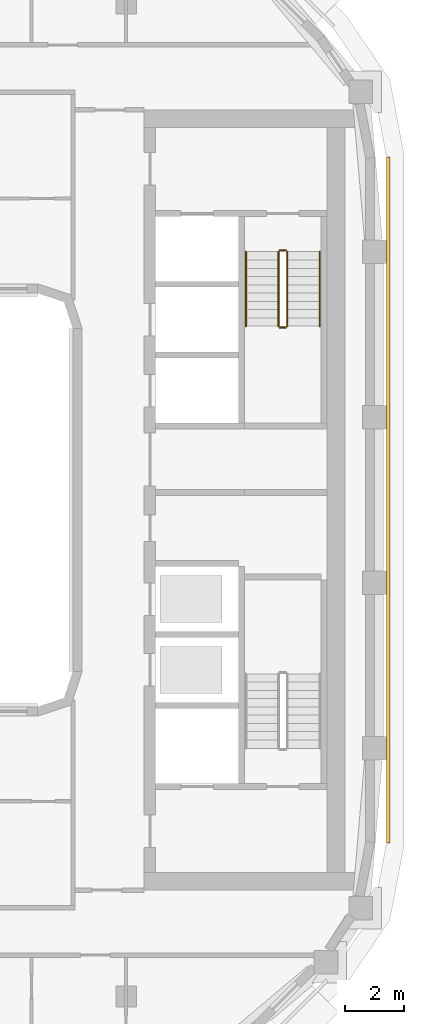
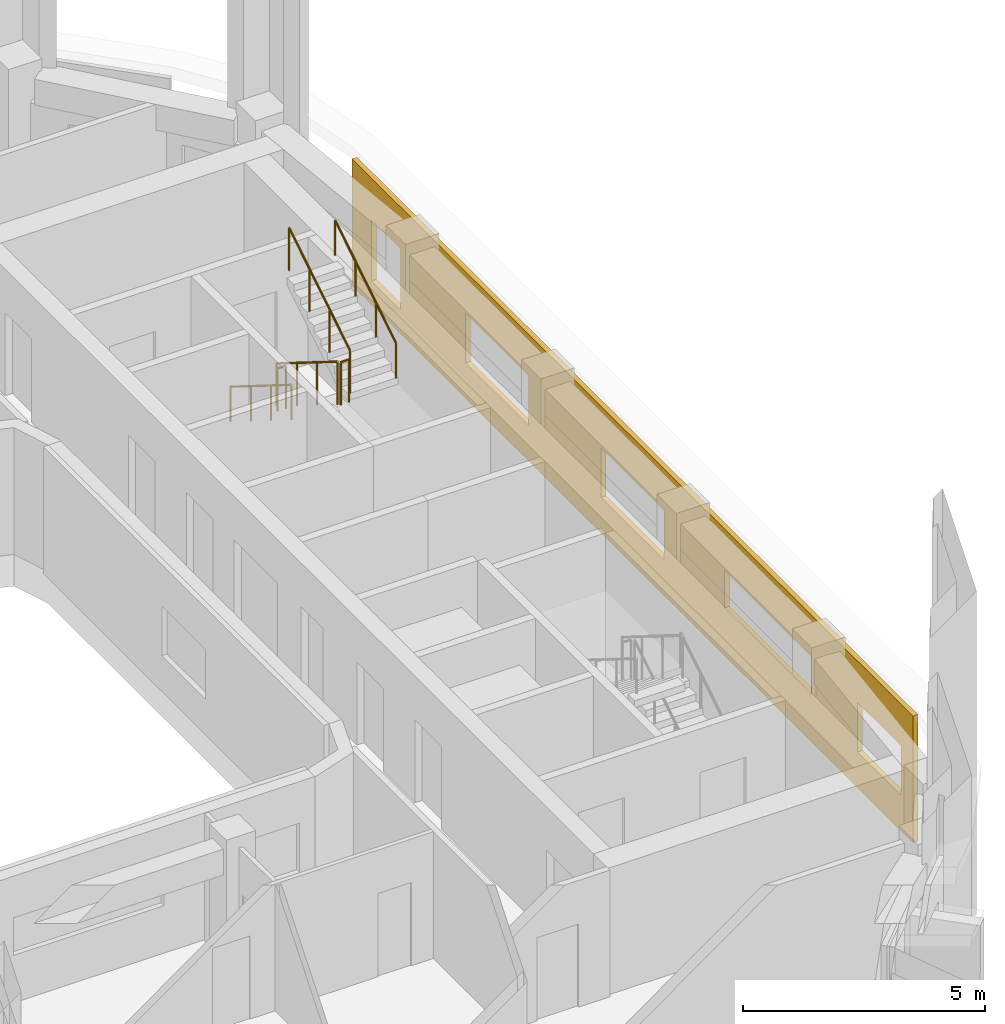
# One storey, part 17 of 19: 6 railings, 1 covering.
"""IFC4 building model written with IfcOpenShell, lengths in metres."""

from ifc_helpers import new_model, si_unit, direction, frame, origin, origin_2d, place, context, subcontext, project, spatial, polyline, circle, outline, extrude, material, layer, layer_set, type_object, element, save


model = new_model("IFC4")

# Units and contexts
model_context = context("Model", 3, precision=1e-05, world=origin(), true_north=direction((0.0, 1.0)))
body_context = subcontext(model_context, "Body", "Model", "MODEL_VIEW")
ifc_project = project(units=[si_unit("LENGTHUNIT", "METRE"), si_unit("AREAUNIT", "SQUARE_METRE"), si_unit("VOLUMEUNIT", "CUBIC_METRE"), si_unit("PLANEANGLEUNIT", "RADIAN"), si_unit("MASSUNIT", "GRAM", prefix="KILO")], contexts=[model_context])

# Site, building, storey
site_placement = place(None, origin())
site = spatial("IfcSite", under=ifc_project, at=site_placement, CompositionType="ELEMENT")
building_placement = place(site_placement, origin())
building = spatial("IfcBuilding", under=site, at=building_placement, Name="Kiln Ring Residences", CompositionType="ELEMENT")
storey_placement = place(building_placement, frame((0.0, 0.0, 241.699951171875)))
storey = spatial("IfcBuildingStorey", under=building, at=storey_placement, Name="L62", CompositionType="ELEMENT", Elevation=241.699951171875)

# Railings
ifc_material_1 = material(Name="Stainless steel", Category="steel")
railing_type_1 = type_object("IfcRailingType", Name="CORE-STAIR-GUARD", PredefinedType="GUARDRAIL", material=ifc_material_1)
railing_1_placement = place(storey_placement, frame((21.949951171875, 8.39990234375, 0.175048828125)))
element("IfcRailing", 1, at=railing_1_placement, inside=storey, type_object=railing_type_1, Name="L62 E-STN stair guard 1", PredefinedType="GUARDRAIL", context=body_context, shape_type="SweptSolid", body=[
    extrude(circle(Radius=0.02392578125, at=origin_2d()), frame((0.0, 0.0, 1.076171875), z_axis=(0.0, -0.848007534815, 0.529984170421), x_axis=(1.0, 0.0, 0.0)), (0.0, 0.0, 1.0), 2.9716796875),
    extrude(circle(Radius=0.02099609375, at=origin_2d()), origin(), (0.0, 0.0, 1.0), 1.052001953125),
    extrude(circle(Radius=0.02099609375, at=origin_2d()), frame((0.0, -0.840087890625, 0.52490234375)), (0.0, 0.0, 1.0), 1.052001953125),
    extrude(circle(Radius=0.02099609375, at=origin_2d()), frame((0.0, -1.679931640625, 1.050048828125)), (0.0, 0.0, 1.0), 1.052001953125),
    extrude(circle(Radius=0.02099609375, at=origin_2d()), frame((0.0, -2.52001953125, 1.574951171875)), (0.0, 0.0, 1.0), 1.052001953125),
])
railing_2_placement = place(storey_placement, frame((22.0, 5.830078125, 1.75)))
element("IfcRailing", 2, at=railing_2_placement, inside=storey, type_object=railing_type_1, Name="L62 E-STN stair guard 2", PredefinedType="GUARDRAIL", context=body_context, shape_type="SweptSolid", body=[
    extrude(circle(Radius=0.02392578125, at=origin_2d()), frame((0.0, 0.0, 1.076171875), z_axis=(1.0, 0.0, 0.0), x_axis=(0.0, 1.0, 0.0)), (0.0, 0.0, 1.0), 0.199951171875),
    extrude(circle(Radius=0.02099609375, at=origin_2d()), origin(), (0.0, 0.0, 1.0), 1.052001953125),
    extrude(circle(Radius=0.02099609375, at=origin_2d()), frame((0.199951171875, 0.0, 0.0)), (0.0, 0.0, 1.0), 1.052001953125),
])
railing_3_placement = place(storey_placement, frame((22.25, 5.8798828125, 1.925048828125)))
element("IfcRailing", 3, at=railing_3_placement, inside=storey, type_object=railing_type_1, Name="L62 E-STN stair guard 3", PredefinedType="GUARDRAIL", context=body_context, shape_type="SweptSolid", body=[
    extrude(circle(Radius=0.02392578125, at=origin_2d()), frame((0.0, 0.0, 1.076171875), z_axis=(0.0, 0.848007534815, 0.529984170421), x_axis=(-1.0, 0.0, 0.0)), (0.0, 0.0, 1.0), 2.9716796875),
    extrude(circle(Radius=0.02099609375, at=origin_2d()), origin(), (0.0, 0.0, 1.0), 1.052001953125),
    extrude(circle(Radius=0.02099609375, at=origin_2d()), frame((0.0, 0.840087890625, 0.52490234375)), (0.0, 0.0, 1.0), 1.052001953125),
    extrude(circle(Radius=0.02099609375, at=origin_2d()), frame((0.0, 1.679931640625, 1.050048828125)), (0.0, 0.0, 1.0), 1.052001953125),
    extrude(circle(Radius=0.02099609375, at=origin_2d()), frame((0.0, 2.52001953125, 1.574951171875)), (0.0, 0.0, 1.0), 1.052001953125),
])
railing_4_placement = place(storey_placement, frame((22.0, 8.449951171875, 0.0)))
element("IfcRailing", 4, at=railing_4_placement, inside=storey, type_object=railing_type_1, Name="L62 E-STN stair guard 4", PredefinedType="GUARDRAIL", context=body_context, shape_type="SweptSolid", body=[
    extrude(circle(Radius=0.02392578125, at=origin_2d()), frame((0.0, 0.0, 1.076171875), z_axis=(1.0, 0.0, 0.0), x_axis=(0.0, 1.0, 0.0)), (0.0, 0.0, 1.0), 0.199951171875),
    extrude(circle(Radius=0.02099609375, at=origin_2d()), origin(), (0.0, 0.0, 1.0), 1.052001953125),
    extrude(circle(Radius=0.02099609375, at=origin_2d()), frame((0.199951171875, 0.0, 0.0)), (0.0, 0.0, 1.0), 1.052001953125),
])
ifc_material_2 = material(Name="Stainless steel", Category="steel")
railing_type_2 = type_object("IfcRailingType", Name="CORE-STAIR-HANDRAIL", PredefinedType="HANDRAIL", material=ifc_material_2)
railing_5_placement = place(storey_placement, frame((20.85009765625, 8.39990234375, 0.175048828125)))
element("IfcRailing", 5, at=railing_5_placement, inside=storey, type_object=railing_type_2, Name="L62 E-STN stair handrail 1", PredefinedType="HANDRAIL", context=body_context, shape_type="SweptSolid", body=[
    extrude(circle(Radius=0.02392578125, at=origin_2d()), frame((0.0, 0.0, 0.8759765625), z_axis=(0.0, -0.848007534815, 0.529984170421), x_axis=(1.0, 0.0, 0.0)), (0.0, 0.0, 1.0), 2.9716796875),
    extrude(circle(Radius=0.02099609375, at=origin_2d()), origin(), (0.0, 0.0, 1.0), 0.851806640625),
    extrude(circle(Radius=0.02099609375, at=origin_2d()), frame((0.0, -0.840087890625, 0.52490234375)), (0.0, 0.0, 1.0), 0.851806640625),
    extrude(circle(Radius=0.02099609375, at=origin_2d()), frame((0.0, -1.679931640625, 1.050048828125)), (0.0, 0.0, 1.0), 0.851806640625),
    extrude(circle(Radius=0.02099609375, at=origin_2d()), frame((0.0, -2.52001953125, 1.574951171875)), (0.0, 0.0, 1.0), 0.851806640625),
])
railing_6_placement = place(storey_placement, frame((23.35009765625, 5.8798828125, 1.925048828125)))
element("IfcRailing", 6, at=railing_6_placement, inside=storey, type_object=railing_type_2, Name="L62 E-STN stair handrail 2", PredefinedType="HANDRAIL", context=body_context, shape_type="SweptSolid", body=[
    extrude(circle(Radius=0.02392578125, at=origin_2d()), frame((0.0, 0.0, 0.8759765625), z_axis=(0.0, 0.848007534815, 0.529984170421), x_axis=(-1.0, 0.0, 0.0)), (0.0, 0.0, 1.0), 2.9716796875),
    extrude(circle(Radius=0.02099609375, at=origin_2d()), origin(), (0.0, 0.0, 1.0), 0.851806640625),
    extrude(circle(Radius=0.02099609375, at=origin_2d()), frame((0.0, 0.840087890625, 0.52490234375)), (0.0, 0.0, 1.0), 0.851806640625),
    extrude(circle(Radius=0.02099609375, at=origin_2d()), frame((0.0, 1.679931640625, 1.050048828125)), (0.0, 0.0, 1.0), 0.851806640625),
    extrude(circle(Radius=0.02099609375, at=origin_2d()), frame((0.0, 2.52001953125, 1.574951171875)), (0.0, 0.0, 1.0), 0.851806640625),
])

# Covering
ifc_material_3 = material(Name="Brick masonry, dark clay brick", Category="masonry")
ifc_layer = layer(ifc_material_3, 0.1201171875)
ifc_layer_set = layer_set([ifc_layer], Name="RAINSCREEN PANEL 120")
covering_type = type_object("IfcCoveringType", Name="RAINSCREEN PANEL 120", PredefinedType="CLADDING", material=ifc_layer_set)
covering_placement = place(storey_placement, frame((25.659912109375, -11.60009765625, 0.0), z_axis=(0.0, 0.0, 1.0), x_axis=(0.0, 1.0, 0.0)))
element("IfcCovering", 7, at=covering_placement, inside=storey, type_object=covering_type, Name="RAINSCREEN L62", PredefinedType="CLADDING", context=body_context, shape_type="SweptSolid", body=[
    extrude(outline(polyline([(0.0, 0.0), (23.199951171875, 0.0), (23.199951171875, 3.199951171875), (0.0, 3.199951171875), (0.0, 0.0)]), holes=[polyline([(22.39990234375, 0.60009765625), (22.39990234375, 2.150146484375), (21.199951171875, 2.150146484375), (21.199951171875, 0.60009765625), (22.39990234375, 0.60009765625)]), polyline([(2.300048828125, 0.900146484375), (2.300048828125, 2.150146484375), (0.5, 2.150146484375), (0.5, 0.900146484375), (2.300048828125, 0.900146484375)]), polyline([(12.89990234375, 0.900146484375), (12.89990234375, 2.150146484375), (10.300048828125, 2.150146484375), (10.300048828125, 0.900146484375), (12.89990234375, 0.900146484375)]), polyline([(15.89990234375, 0.900146484375), (18.5, 0.900146484375), (18.5, 2.150146484375), (15.89990234375, 2.150146484375), (15.89990234375, 0.900146484375)]), polyline([(4.199951171875, 1.199951171875), (7.800048828125, 1.199951171875), (7.800048828125, 2.150146484375), (4.199951171875, 2.150146484375), (4.199951171875, 1.199951171875)])]), frame((0.0, 0.06005859375, 0.0), z_axis=(0.0, -1.0, 0.0), x_axis=(1.0, 0.0, 0.0)), (0.0, 0.0, 1.0), 0.1201171875),
])

save(model, "model.ifc")
